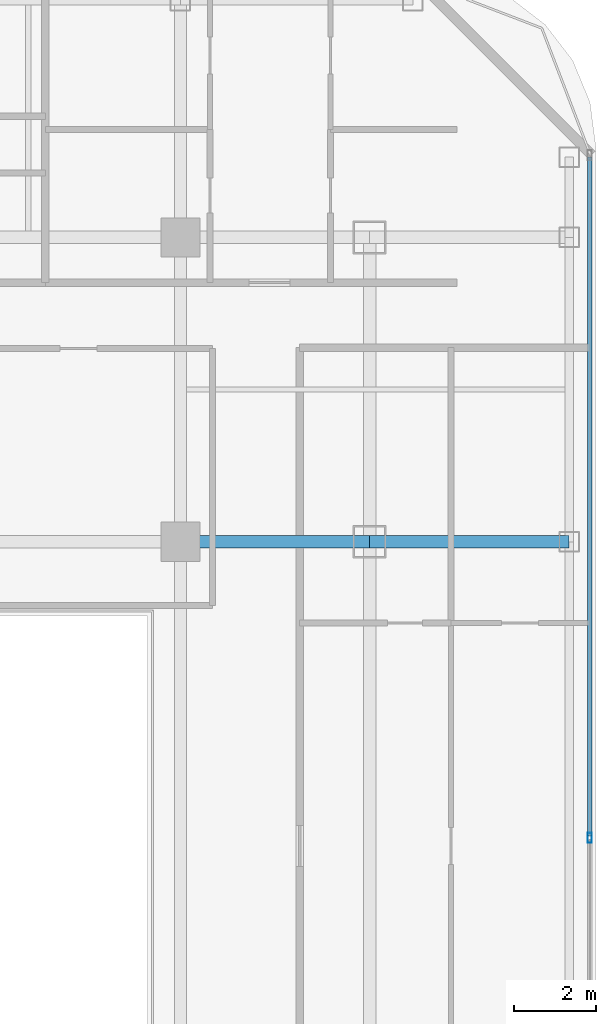
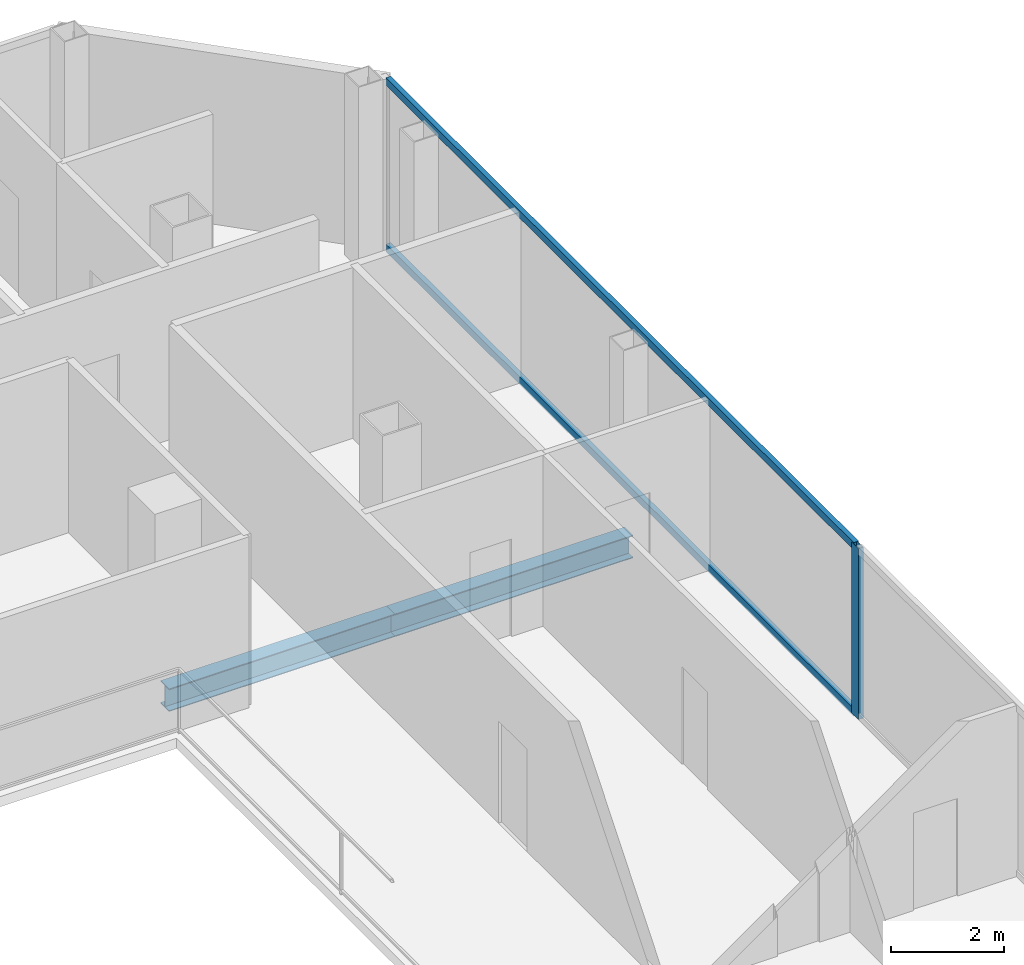
# One storey, part 9 of 23: 3 members, 2 beams, 1 element without a shape of its own.
"""IFC4 building model written with IfcOpenShell, lengths in metres."""

from ifc_helpers import new_model, si_unit, direction, frame, origin, origin_2d, place, context, subcontext, project, spatial, hollow_rectangle, i_section, extrude, material, layer, layer_set, material_profile, profile_set, type_object, element, aggregate, save


model = new_model("IFC4")

# Units and contexts
model_context = context("Model", 3, precision=1e-05, world=origin(), true_north=direction((0.0, 1.0)))
body_context = subcontext(model_context, "Body", "Model", "MODEL_VIEW")
ifc_project = project(units=[si_unit("LENGTHUNIT", "METRE"), si_unit("AREAUNIT", "SQUARE_METRE"), si_unit("VOLUMEUNIT", "CUBIC_METRE"), si_unit("PLANEANGLEUNIT", "RADIAN"), si_unit("MASSUNIT", "GRAM", prefix="KILO")], contexts=[model_context])

# Site, building, storey
site_placement = place(None, origin())
site = spatial("IfcSite", under=ifc_project, at=site_placement, CompositionType="ELEMENT")
building_placement = place(site_placement, origin())
building = spatial("IfcBuilding", under=site, at=building_placement, Name="Khorvyn Point Tower", CompositionType="ELEMENT")
storey_placement = place(building_placement, frame((0.0, 0.0, 274.199951171875)))
storey = spatial("IfcBuildingStorey", under=building, at=storey_placement, Name="L67", CompositionType="ELEMENT", Elevation=274.199951171875)

# Curtain wall, members
ifc_material_1 = material(Name="Anodised aluminium 6063-T6 and laminated Low-E glass", Category="aluminium")
ifc_layer = layer(ifc_material_1, 0.18994140625)
ifc_layer_set = layer_set([ifc_layer], Name="Stick-Built High-Wind Curtain Wall CW-SYS-04")
curtain_wall_type = type_object("IfcCurtainWallType", Name="Stick-Built High-Wind Curtain Wall CW-SYS-04", PredefinedType="NOTDEFINED", material=ifc_layer_set)
curtain_wall_placement = place(storey_placement, origin())
curtain_wall = element("IfcCurtainWall", 1, at=curtain_wall_placement, inside=storey, type_object=curtain_wall_type, Name="Curtain Wall", PredefinedType="NOTDEFINED")
ifc_material_2 = material(Name="Anodised aluminium 6063-T6", Category="aluminium")
ifc_material_profile_1 = material_profile(ifc_material_2, hollow_rectangle(XDim=0.10009765625, YDim=0.239990234375, WallThickness=0.0048828125, at=origin_2d()))
ifc_profile_set_1 = profile_set([ifc_material_profile_1], Name="Anodised aluminium 6063-T6 ALU-MUL-100x240")
member_type_1 = type_object("IfcMemberType", Name="Anodised Aluminium 6063-T6 Mullion ALU-MUL-100x240", PredefinedType="MULLION", material=ifc_profile_set_1)
member_1_placement = place(storey_placement, frame((24.75, 0.199951171875, 0.0), z_axis=(0.0, 0.0, 1.0), x_axis=(1.0, 0.0, 0.0)))
member_1 = element("IfcMember", 2, at=member_1_placement, type_object=member_type_1, Name="Transom", PredefinedType="MULLION", context=body_context, shape_type="SweptSolid", body=[
    extrude(hollow_rectangle(XDim=0.10009765625, YDim=0.239990234375, WallThickness=0.0048828125, at=origin_2d()), origin(), (0.0, 0.0, 1.0), 3.679931640625),
])
ifc_material_profile_2 = material_profile(ifc_material_2, hollow_rectangle(XDim=0.10009765625, YDim=0.159912109375, WallThickness=0.00439453125, at=origin_2d()))
ifc_profile_set_2 = profile_set([ifc_material_profile_2], Name="Anodised aluminium 6063-T6 ALU-TRN-100x160")
member_type_2 = type_object("IfcMemberType", Name="Anodised Aluminium 6063-T6 Transom ALU-TRN-100x160", PredefinedType="USERDEFINED", material=ifc_profile_set_2)
member_2_placement = place(storey_placement, frame((24.75, 16.75, 0.050048828125), z_axis=(0.0, -1.0, 0.0), x_axis=(1.0, 0.0, 0.0)))
member_2 = element("IfcMember", 3, at=member_2_placement, type_object=member_type_2, Name="Transom", ObjectType="TRANSOM", PredefinedType="USERDEFINED", context=body_context, shape_type="SweptSolid", body=[
    extrude(hollow_rectangle(XDim=0.10009765625, YDim=0.159912109375, WallThickness=0.00439453125, at=origin_2d()), origin(), (0.0, 0.0, 1.0), 16.5),
])
member_3_placement = place(storey_placement, frame((24.75, 16.75, 3.630126953125), z_axis=(0.0, -1.0, 0.0), x_axis=(1.0, 0.0, 0.0)))
member_3 = element("IfcMember", 4, at=member_3_placement, type_object=member_type_2, Name="Transom", ObjectType="TRANSOM", PredefinedType="USERDEFINED", context=body_context, shape_type="SweptSolid", body=[
    extrude(hollow_rectangle(XDim=0.10009765625, YDim=0.159912109375, WallThickness=0.00439453125, at=origin_2d()), origin(), (0.0, 0.0, 1.0), 16.5),
])
aggregate(curtain_wall, [member_1, member_2, member_3])

# Beams
ifc_material_3 = material(Name="Steel S355", Category="steel")
ifc_material_profile_3 = material_profile(ifc_material_3, i_section(OverallWidth=0.300048828125, OverallDepth=0.488037109375, WebThickness=0.010986328125, FlangeThickness=0.01806640625, at=origin_2d()))
ifc_profile_set_3 = profile_set([ifc_material_profile_3], Name="Steel S355 H488x300x11x18")
beam_type = type_object("IfcBeamType", Name="Steel S355 Spandrel H488x300x11x18", PredefinedType="SPANDREL", material=ifc_profile_set_3)
beam_1_placement = place(storey_placement, frame((14.800048828125, 7.39990234375, -0.4638671875), z_axis=(1.0, 0.0, 0.0), x_axis=(0.0, 1.0, 0.0)))
element("IfcBeam", 5, at=beam_1_placement, inside=storey, type_object=beam_type, Name="Beam", PredefinedType="SPANDREL", context=body_context, shape_type="SweptSolid", body=[
    extrude(i_section(OverallWidth=0.300048828125, OverallDepth=0.488037109375, WebThickness=0.010986328125, FlangeThickness=0.01806640625, at=origin_2d()), origin(), (0.0, 0.0, 1.0), 4.599853515625),
])
beam_2_placement = place(storey_placement, frame((19.39990234375, 7.39990234375, -0.4638671875), z_axis=(1.0, 0.0, 0.0), x_axis=(0.0, 1.0, 0.0)))
element("IfcBeam", 6, at=beam_2_placement, inside=storey, type_object=beam_type, Name="Beam", PredefinedType="SPANDREL", context=body_context, shape_type="SweptSolid", body=[
    extrude(i_section(OverallWidth=0.300048828125, OverallDepth=0.488037109375, WebThickness=0.010986328125, FlangeThickness=0.01806640625, at=origin_2d()), origin(), (0.0, 0.0, 1.0), 4.85009765625),
])

save(model, "model.ifc")
